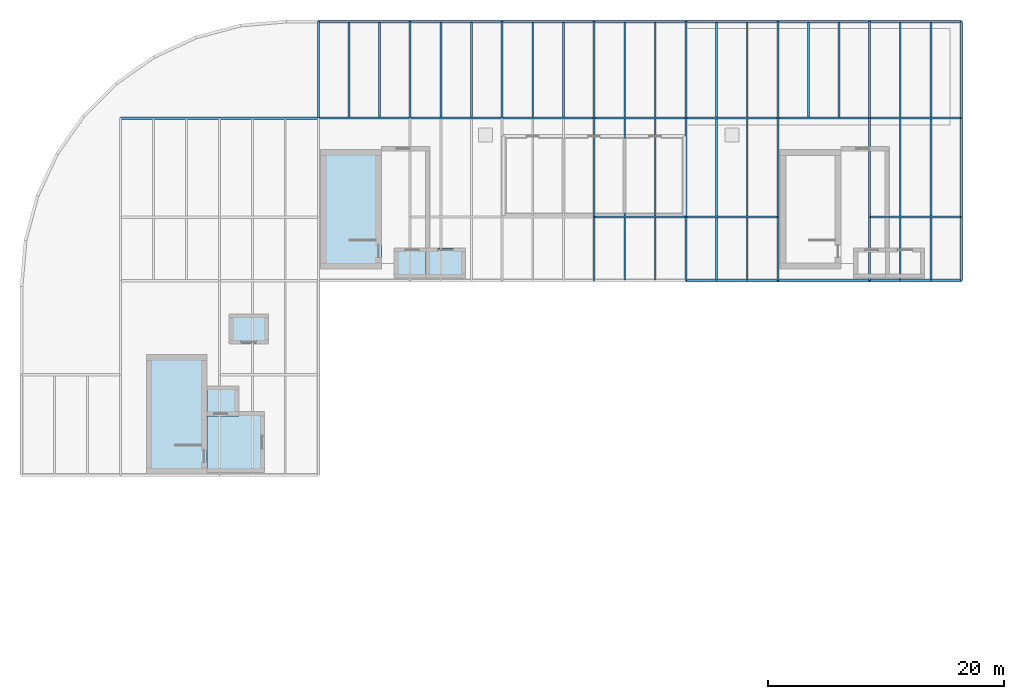
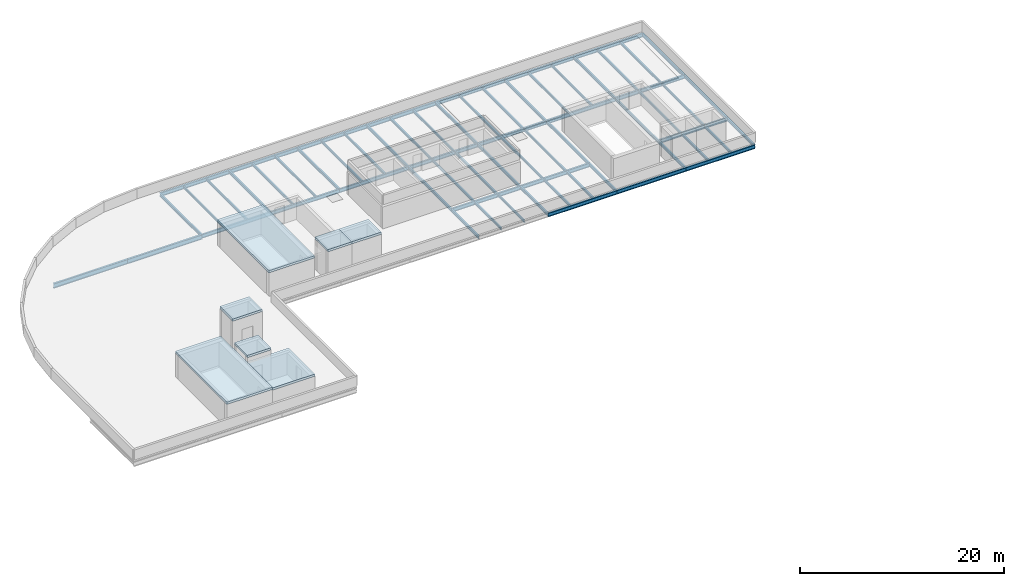
# One storey, part 2 of 9: 66 beams, 7 slabs.
"""IFC4 building model written with IfcOpenShell, lengths in metres."""

from ifc_helpers import new_model, si_unit, direction, frame, origin, origin_2d, place, context, subcontext, project, spatial, polyline, i_section, outline, extrude, material, layer, layer_set, material_profile, profile_set, type_object, element, save


model = new_model("IFC4")

# Units and contexts
model_context = context("Model", 3, precision=1e-05, world=origin(), true_north=direction((0.0, 1.0)))
body_context = subcontext(model_context, "Body", "Model", "MODEL_VIEW")
ifc_project = project(units=[si_unit("LENGTHUNIT", "METRE"), si_unit("AREAUNIT", "SQUARE_METRE"), si_unit("VOLUMEUNIT", "CUBIC_METRE"), si_unit("PLANEANGLEUNIT", "RADIAN"), si_unit("MASSUNIT", "GRAM", prefix="KILO")], contexts=[model_context])

# Site, building, storey
site_placement = place(None, origin())
site = spatial("IfcSite", under=ifc_project, at=site_placement, CompositionType="ELEMENT")
building_placement = place(site_placement, origin())
building = spatial("IfcBuilding", under=site, at=building_placement, Name="Sefraquen Railside Congress Hotel", CompositionType="ELEMENT")
storey_placement = place(building_placement, frame((0.0, 0.0, 51.60009765625)))
storey = spatial("IfcBuildingStorey", under=building, at=storey_placement, Name="RF", CompositionType="ELEMENT", Elevation=51.60009765625)

# Beams
ifc_material_1 = material(Name="Steel S355JR", Category="steel")
ifc_material_profile_1 = material_profile(ifc_material_1, i_section(OverallWidth=0.169921875, OverallDepth=0.360107421875, WebThickness=0.008056640625, FlangeThickness=0.0126953125, FilletRadius=0.01806640625, at=origin_2d()), Name="IPE 360")
ifc_profile_set_1 = profile_set([ifc_material_profile_1], Name="Steel S355JR")
beam_type_1 = type_object("IfcBeamType", Name="TB-BM-360", PredefinedType="BEAM", material=ifc_profile_set_1)
for number, where, z_axis, x_axis, name in (
    (1, (25.199951171875, 109.800048828125, -0.440185546875), (0.0, 1.0, 0.0), (-1.0, 0.0, 0.0), "Floor beam BM-RF-2285"),
    (2, (33.0, 109.800048828125, -0.440185546875), (0.0, 1.0, 0.0), (-1.0, 0.0, 0.0), "Floor beam BM-RF-2288"),
    (3, (40.800048828125, 109.800048828125, -0.440185546875), (0.0, 1.0, 0.0), (-1.0, 0.0, 0.0), "Floor beam BM-RF-2291"),
):
    element("IfcBeam", number, at=place(storey_placement, frame(where, z_axis=z_axis, x_axis=x_axis)), inside=storey, type_object=beam_type_1, Name=name, PredefinedType="BEAM", context=body_context, shape_type="SweptSolid", body=[
        extrude(i_section(OverallWidth=0.169921875, OverallDepth=0.360107421875, WebThickness=0.008056640625, FlangeThickness=0.0126953125, FilletRadius=0.01806640625, at=origin_2d()), origin(), (0.0, 0.0, 1.0), 8.199951171875),
    ])
beam_1_placement = place(storey_placement, frame((48.60009765625, 96.0, -0.440185546875), z_axis=(0.0, 1.0, 0.0), x_axis=(-1.0, 0.0, 0.0)))
element("IfcBeam", 4, at=beam_1_placement, inside=storey, type_object=beam_type_1, Name="Floor beam BM-RF-2292", PredefinedType="BEAM", context=body_context, shape_type="SweptSolid", body=[
    extrude(i_section(OverallWidth=0.169921875, OverallDepth=0.360107421875, WebThickness=0.008056640625, FlangeThickness=0.0126953125, FilletRadius=0.01806640625, at=origin_2d()), origin(), (0.0, 0.0, 1.0), 5.39990234375),
])
beam_2_placement = place(storey_placement, frame((48.60009765625, 101.39990234375, -0.440185546875), z_axis=(0.0, 1.0, 0.0), x_axis=(-1.0, 0.0, 0.0)))
element("IfcBeam", 5, at=beam_2_placement, inside=storey, type_object=beam_type_1, Name="Floor beam BM-RF-2293", PredefinedType="BEAM", context=body_context, shape_type="SweptSolid", body=[
    extrude(i_section(OverallWidth=0.169921875, OverallDepth=0.360107421875, WebThickness=0.008056640625, FlangeThickness=0.0126953125, FilletRadius=0.01806640625, at=origin_2d()), origin(), (0.0, 0.0, 1.0), 8.400146484375),
])
beam_3_placement = place(storey_placement, frame((48.60009765625, 109.800048828125, -0.440185546875), z_axis=(0.0, 1.0, 0.0), x_axis=(-1.0, 0.0, 0.0)))
element("IfcBeam", 6, at=beam_3_placement, inside=storey, type_object=beam_type_1, Name="Floor beam BM-RF-2294", PredefinedType="BEAM", context=body_context, shape_type="SweptSolid", body=[
    extrude(i_section(OverallWidth=0.169921875, OverallDepth=0.360107421875, WebThickness=0.008056640625, FlangeThickness=0.0126953125, FilletRadius=0.01806640625, at=origin_2d()), origin(), (0.0, 0.0, 1.0), 8.199951171875),
])
beam_4_placement = place(storey_placement, frame((56.39990234375, 96.0, -0.440185546875), z_axis=(0.0, 1.0, 0.0), x_axis=(-1.0, 0.0, 0.0)))
element("IfcBeam", 7, at=beam_4_placement, inside=storey, type_object=beam_type_1, Name="Floor beam BM-RF-2295", PredefinedType="BEAM", context=body_context, shape_type="SweptSolid", body=[
    extrude(i_section(OverallWidth=0.169921875, OverallDepth=0.360107421875, WebThickness=0.008056640625, FlangeThickness=0.0126953125, FilletRadius=0.01806640625, at=origin_2d()), origin(), (0.0, 0.0, 1.0), 5.39990234375),
])
beam_5_placement = place(storey_placement, frame((56.39990234375, 101.39990234375, -0.440185546875), z_axis=(0.0, 1.0, 0.0), x_axis=(-1.0, 0.0, 0.0)))
element("IfcBeam", 8, at=beam_5_placement, inside=storey, type_object=beam_type_1, Name="Floor beam BM-RF-2296", PredefinedType="BEAM", context=body_context, shape_type="SweptSolid", body=[
    extrude(i_section(OverallWidth=0.169921875, OverallDepth=0.360107421875, WebThickness=0.008056640625, FlangeThickness=0.0126953125, FilletRadius=0.01806640625, at=origin_2d()), origin(), (0.0, 0.0, 1.0), 8.400146484375),
])
beam_6_placement = place(storey_placement, frame((56.39990234375, 109.800048828125, -0.440185546875), z_axis=(0.0, 1.0, 0.0), x_axis=(-1.0, 0.0, 0.0)))
element("IfcBeam", 9, at=beam_6_placement, inside=storey, type_object=beam_type_1, Name="Floor beam BM-RF-2297", PredefinedType="BEAM", context=body_context, shape_type="SweptSolid", body=[
    extrude(i_section(OverallWidth=0.169921875, OverallDepth=0.360107421875, WebThickness=0.008056640625, FlangeThickness=0.0126953125, FilletRadius=0.01806640625, at=origin_2d()), origin(), (0.0, 0.0, 1.0), 8.199951171875),
])
beam_7_placement = place(storey_placement, frame((64.199951171875, 96.0, -0.440185546875), z_axis=(0.0, 1.0, 0.0), x_axis=(-1.0, 0.0, 0.0)))
element("IfcBeam", 10, at=beam_7_placement, inside=storey, type_object=beam_type_1, Name="Floor beam BM-RF-2298", PredefinedType="BEAM", context=body_context, shape_type="SweptSolid", body=[
    extrude(i_section(OverallWidth=0.169921875, OverallDepth=0.360107421875, WebThickness=0.008056640625, FlangeThickness=0.0126953125, FilletRadius=0.01806640625, at=origin_2d()), origin(), (0.0, 0.0, 1.0), 5.39990234375),
])
beam_8_placement = place(storey_placement, frame((64.199951171875, 101.39990234375, -0.440185546875), z_axis=(0.0, 1.0, 0.0), x_axis=(-1.0, 0.0, 0.0)))
element("IfcBeam", 11, at=beam_8_placement, inside=storey, type_object=beam_type_1, Name="Floor beam BM-RF-2299", PredefinedType="BEAM", context=body_context, shape_type="SweptSolid", body=[
    extrude(i_section(OverallWidth=0.169921875, OverallDepth=0.360107421875, WebThickness=0.008056640625, FlangeThickness=0.0126953125, FilletRadius=0.01806640625, at=origin_2d()), origin(), (0.0, 0.0, 1.0), 8.400146484375),
])
beam_9_placement = place(storey_placement, frame((64.199951171875, 109.800048828125, -0.440185546875), z_axis=(0.0, 1.0, 0.0), x_axis=(-1.0, 0.0, 0.0)))
element("IfcBeam", 12, at=beam_9_placement, inside=storey, type_object=beam_type_1, Name="Floor beam BM-RF-2300", PredefinedType="BEAM", context=body_context, shape_type="SweptSolid", body=[
    extrude(i_section(OverallWidth=0.169921875, OverallDepth=0.360107421875, WebThickness=0.008056640625, FlangeThickness=0.0126953125, FilletRadius=0.01806640625, at=origin_2d()), origin(), (0.0, 0.0, 1.0), 8.199951171875),
])
beam_10_placement = place(storey_placement, frame((72.0, 96.0, -0.440185546875), z_axis=(0.0, 1.0, 0.0), x_axis=(-1.0, 0.0, 0.0)))
element("IfcBeam", 13, at=beam_10_placement, inside=storey, type_object=beam_type_1, Name="Floor beam BM-RF-2301", PredefinedType="BEAM", context=body_context, shape_type="SweptSolid", body=[
    extrude(i_section(OverallWidth=0.169921875, OverallDepth=0.360107421875, WebThickness=0.008056640625, FlangeThickness=0.0126953125, FilletRadius=0.01806640625, at=origin_2d()), origin(), (0.0, 0.0, 1.0), 5.39990234375),
])
beam_11_placement = place(storey_placement, frame((72.0, 101.39990234375, -0.440185546875), z_axis=(0.0, 1.0, 0.0), x_axis=(-1.0, 0.0, 0.0)))
element("IfcBeam", 14, at=beam_11_placement, inside=storey, type_object=beam_type_1, Name="Floor beam BM-RF-2302", PredefinedType="BEAM", context=body_context, shape_type="SweptSolid", body=[
    extrude(i_section(OverallWidth=0.169921875, OverallDepth=0.360107421875, WebThickness=0.008056640625, FlangeThickness=0.0126953125, FilletRadius=0.01806640625, at=origin_2d()), origin(), (0.0, 0.0, 1.0), 8.400146484375),
])
beam_12_placement = place(storey_placement, frame((72.0, 109.800048828125, -0.440185546875), z_axis=(0.0, 1.0, 0.0), x_axis=(-1.0, 0.0, 0.0)))
element("IfcBeam", 15, at=beam_12_placement, inside=storey, type_object=beam_type_1, Name="Floor beam BM-RF-2303", PredefinedType="BEAM", context=body_context, shape_type="SweptSolid", body=[
    extrude(i_section(OverallWidth=0.169921875, OverallDepth=0.360107421875, WebThickness=0.008056640625, FlangeThickness=0.0126953125, FilletRadius=0.01806640625, at=origin_2d()), origin(), (0.0, 0.0, 1.0), 8.199951171875),
])
beam_13_placement = place(storey_placement, frame((79.800048828125, 96.0, -0.440185546875), z_axis=(0.0, 1.0, 0.0), x_axis=(-1.0, 0.0, 0.0)))
element("IfcBeam", 16, at=beam_13_placement, inside=storey, type_object=beam_type_1, Name="Floor beam BM-RF-2304", PredefinedType="BEAM", context=body_context, shape_type="SweptSolid", body=[
    extrude(i_section(OverallWidth=0.169921875, OverallDepth=0.360107421875, WebThickness=0.008056640625, FlangeThickness=0.0126953125, FilletRadius=0.01806640625, at=origin_2d()), origin(), (0.0, 0.0, 1.0), 5.39990234375),
])
beam_14_placement = place(storey_placement, frame((79.800048828125, 101.39990234375, -0.440185546875), z_axis=(0.0, 1.0, 0.0), x_axis=(-1.0, 0.0, 0.0)))
element("IfcBeam", 17, at=beam_14_placement, inside=storey, type_object=beam_type_1, Name="Floor beam BM-RF-2305", PredefinedType="BEAM", context=body_context, shape_type="SweptSolid", body=[
    extrude(i_section(OverallWidth=0.169921875, OverallDepth=0.360107421875, WebThickness=0.008056640625, FlangeThickness=0.0126953125, FilletRadius=0.01806640625, at=origin_2d()), origin(), (0.0, 0.0, 1.0), 8.400146484375),
])
beam_15_placement = place(storey_placement, frame((79.800048828125, 109.800048828125, -0.440185546875), z_axis=(0.0, 1.0, 0.0), x_axis=(-1.0, 0.0, 0.0)))
element("IfcBeam", 18, at=beam_15_placement, inside=storey, type_object=beam_type_1, Name="Floor beam BM-RF-2306", PredefinedType="BEAM", context=body_context, shape_type="SweptSolid", body=[
    extrude(i_section(OverallWidth=0.169921875, OverallDepth=0.360107421875, WebThickness=0.008056640625, FlangeThickness=0.0126953125, FilletRadius=0.01806640625, at=origin_2d()), origin(), (0.0, 0.0, 1.0), 8.199951171875),
])
ifc_material_profile_2 = material_profile(ifc_material_1, i_section(OverallWidth=0.18994140625, OverallDepth=0.449951171875, WebThickness=0.009521484375, FlangeThickness=0.0146484375, FilletRadius=0.02099609375, at=origin_2d()), Name="IPE 450")
ifc_profile_set_2 = profile_set([ifc_material_profile_2], Name="Steel S355JR")
beam_type_2 = type_object("IfcBeamType", Name="TB-BM-450", PredefinedType="BEAM", material=ifc_profile_set_2)
for number, where, z_axis, x_axis, name in (
    (19, (56.39990234375, 96.0, -0.485107421875), (1.0, 0.0, 0.0), (0.0, 1.0, 0.0), "Primary girder BM-RF-2246"),
    (20, (64.199951171875, 96.0, -0.485107421875), (1.0, 0.0, 0.0), (0.0, 1.0, 0.0), "Primary girder BM-RF-2247"),
    (21, (72.0, 96.0, -0.485107421875), (1.0, 0.0, 0.0), (0.0, 1.0, 0.0), "Primary girder BM-RF-2248"),
):
    element("IfcBeam", number, at=place(storey_placement, frame(where, z_axis=z_axis, x_axis=x_axis)), inside=storey, type_object=beam_type_2, Name=name, PredefinedType="BEAM", context=body_context, shape_type="SweptSolid", body=[
        extrude(i_section(OverallWidth=0.18994140625, OverallDepth=0.449951171875, WebThickness=0.009521484375, FlangeThickness=0.0146484375, FilletRadius=0.02099609375, at=origin_2d()), origin(), (0.0, 0.0, 1.0), 7.800048828125),
    ])
beam_16_placement = place(storey_placement, frame((48.60009765625, 101.39990234375, -0.485107421875), z_axis=(1.0, 0.0, 0.0), x_axis=(0.0, 1.0, 0.0)))
element("IfcBeam", 22, at=beam_16_placement, inside=storey, type_object=beam_type_2, Name="Primary girder BM-RF-2253", PredefinedType="BEAM", context=body_context, shape_type="SweptSolid", body=[
    extrude(i_section(OverallWidth=0.18994140625, OverallDepth=0.449951171875, WebThickness=0.009521484375, FlangeThickness=0.0146484375, FilletRadius=0.02099609375, at=origin_2d()), origin(), (0.0, 0.0, 1.0), 7.7998046875),
])
for number, where, z_axis, x_axis, name in (
    (23, (56.39990234375, 101.39990234375, -0.485107421875), (1.0, 0.0, 0.0), (0.0, 1.0, 0.0), "Primary girder BM-RF-2254"),
    (24, (72.0, 101.39990234375, -0.485107421875), (1.0, 0.0, 0.0), (0.0, 1.0, 0.0), "Primary girder BM-RF-2255"),
    (25, (25.199951171875, 109.800048828125, -0.485107421875), (1.0, 0.0, 0.0), (0.0, 1.0, 0.0), "Primary girder BM-RF-2258"),
    (26, (33.0, 109.800048828125, -0.485107421875), (1.0, 0.0, 0.0), (0.0, 1.0, 0.0), "Primary girder BM-RF-2259"),
    (27, (40.800048828125, 109.800048828125, -0.485107421875), (1.0, 0.0, 0.0), (0.0, 1.0, 0.0), "Primary girder BM-RF-2260"),
):
    element("IfcBeam", number, at=place(storey_placement, frame(where, z_axis=z_axis, x_axis=x_axis)), inside=storey, type_object=beam_type_2, Name=name, PredefinedType="BEAM", context=body_context, shape_type="SweptSolid", body=[
        extrude(i_section(OverallWidth=0.18994140625, OverallDepth=0.449951171875, WebThickness=0.009521484375, FlangeThickness=0.0146484375, FilletRadius=0.02099609375, at=origin_2d()), origin(), (0.0, 0.0, 1.0), 7.800048828125),
    ])
beam_17_placement = place(storey_placement, frame((48.60009765625, 109.800048828125, -0.485107421875), z_axis=(1.0, 0.0, 0.0), x_axis=(0.0, 1.0, 0.0)))
element("IfcBeam", 28, at=beam_17_placement, inside=storey, type_object=beam_type_2, Name="Primary girder BM-RF-2261", PredefinedType="BEAM", context=body_context, shape_type="SweptSolid", body=[
    extrude(i_section(OverallWidth=0.18994140625, OverallDepth=0.449951171875, WebThickness=0.009521484375, FlangeThickness=0.0146484375, FilletRadius=0.02099609375, at=origin_2d()), origin(), (0.0, 0.0, 1.0), 7.7998046875),
])
for number, where, z_axis, x_axis, name in (
    (29, (56.39990234375, 109.800048828125, -0.485107421875), (1.0, 0.0, 0.0), (0.0, 1.0, 0.0), "Primary girder BM-RF-2262"),
    (30, (64.199951171875, 109.800048828125, -0.485107421875), (1.0, 0.0, 0.0), (0.0, 1.0, 0.0), "Primary girder BM-RF-2263"),
    (31, (72.0, 109.800048828125, -0.485107421875), (1.0, 0.0, 0.0), (0.0, 1.0, 0.0), "Primary girder BM-RF-2264"),
    (32, (25.199951171875, 118.0, -0.485107421875), (1.0, 0.0, 0.0), (0.0, 1.0, 0.0), "Primary girder BM-RF-2265"),
    (33, (33.0, 118.0, -0.485107421875), (1.0, 0.0, 0.0), (0.0, 1.0, 0.0), "Primary girder BM-RF-2266"),
    (34, (40.800048828125, 118.0, -0.485107421875), (1.0, 0.0, 0.0), (0.0, 1.0, 0.0), "Primary girder BM-RF-2267"),
):
    element("IfcBeam", number, at=place(storey_placement, frame(where, z_axis=z_axis, x_axis=x_axis)), inside=storey, type_object=beam_type_2, Name=name, PredefinedType="BEAM", context=body_context, shape_type="SweptSolid", body=[
        extrude(i_section(OverallWidth=0.18994140625, OverallDepth=0.449951171875, WebThickness=0.009521484375, FlangeThickness=0.0146484375, FilletRadius=0.02099609375, at=origin_2d()), origin(), (0.0, 0.0, 1.0), 7.800048828125),
    ])
beam_18_placement = place(storey_placement, frame((48.60009765625, 118.0, -0.485107421875), z_axis=(1.0, 0.0, 0.0), x_axis=(0.0, 1.0, 0.0)))
element("IfcBeam", 35, at=beam_18_placement, inside=storey, type_object=beam_type_2, Name="Primary girder BM-RF-2268", PredefinedType="BEAM", context=body_context, shape_type="SweptSolid", body=[
    extrude(i_section(OverallWidth=0.18994140625, OverallDepth=0.449951171875, WebThickness=0.009521484375, FlangeThickness=0.0146484375, FilletRadius=0.02099609375, at=origin_2d()), origin(), (0.0, 0.0, 1.0), 7.7998046875),
])
for number, where, z_axis, x_axis, name in (
    (36, (56.39990234375, 118.0, -0.485107421875), (1.0, 0.0, 0.0), (0.0, 1.0, 0.0), "Primary girder BM-RF-2269"),
    (37, (64.199951171875, 118.0, -0.485107421875), (1.0, 0.0, 0.0), (0.0, 1.0, 0.0), "Primary girder BM-RF-2270"),
    (38, (72.0, 118.0, -0.485107421875), (1.0, 0.0, 0.0), (0.0, 1.0, 0.0), "Primary girder BM-RF-2271"),
):
    element("IfcBeam", number, at=place(storey_placement, frame(where, z_axis=z_axis, x_axis=x_axis)), inside=storey, type_object=beam_type_2, Name=name, PredefinedType="BEAM", context=body_context, shape_type="SweptSolid", body=[
        extrude(i_section(OverallWidth=0.18994140625, OverallDepth=0.449951171875, WebThickness=0.009521484375, FlangeThickness=0.0146484375, FilletRadius=0.02099609375, at=origin_2d()), origin(), (0.0, 0.0, 1.0), 7.800048828125),
    ])
ifc_material_profile_3 = material_profile(ifc_material_1, i_section(OverallWidth=0.2099609375, OverallDepth=0.550048828125, WebThickness=0.010986328125, FlangeThickness=0.01708984375, FilletRadius=0.02392578125, at=origin_2d()), Name="IPE 550")
ifc_profile_set_3 = profile_set([ifc_material_profile_3], Name="Steel S355JR")
beam_type_3 = type_object("IfcBeamType", Name="TB-GIR-550", PredefinedType="T_BEAM", material=ifc_profile_set_3)
beam_19_placement = place(storey_placement, frame((8.39990234375, 109.800048828125, -0.53515625), z_axis=(1.0, 0.0, 0.0), x_axis=(0.0, 1.0, 0.0)))
element("IfcBeam", 39, at=beam_19_placement, inside=storey, type_object=beam_type_3, Name="Primary girder BM-RF-2256", PredefinedType="T_BEAM", context=body_context, shape_type="SweptSolid", body=[
    extrude(i_section(OverallWidth=0.2099609375, OverallDepth=0.550048828125, WebThickness=0.010986328125, FlangeThickness=0.01708984375, FilletRadius=0.02392578125, at=origin_2d()), origin(), (0.0, 0.0, 1.0), 8.400146484375),
])
beam_20_placement = place(storey_placement, frame((16.800048828125, 109.800048828125, -0.53515625), z_axis=(1.0, 0.0, 0.0), x_axis=(0.0, 1.0, 0.0)))
element("IfcBeam", 40, at=beam_20_placement, inside=storey, type_object=beam_type_3, Name="Primary girder BM-RF-2257", PredefinedType="T_BEAM", context=body_context, shape_type="SweptSolid", body=[
    extrude(i_section(OverallWidth=0.2099609375, OverallDepth=0.550048828125, WebThickness=0.010986328125, FlangeThickness=0.01708984375, FilletRadius=0.02392578125, at=origin_2d()), origin(), (0.0, 0.0, 1.0), 8.39990234375),
])
ifc_material_profile_4 = material_profile(ifc_material_1, i_section(OverallWidth=0.14990234375, OverallDepth=0.300048828125, WebThickness=0.007080078125, FlangeThickness=0.0107421875, FilletRadius=0.014892578125, at=origin_2d()), Name="IPE 300")
ifc_profile_set_4 = profile_set([ifc_material_profile_4], Name="Steel S355JR")
beam_type_4 = type_object("IfcBeamType", Name="TB-JST-300", PredefinedType="JOIST", material=ifc_profile_set_4)
for number, where, z_axis, x_axis, name in (
    (41, (27.800048828125, 109.875, -0.41015625), (0.0, 1.0, 0.0), (-1.0, 0.0, 0.0), "Composite floor joist BM-RF-J1542"),
    (42, (30.39990234375, 109.875, -0.41015625), (0.0, 1.0, 0.0), (-1.0, 0.0, 0.0), "Composite floor joist BM-RF-J1543"),
    (43, (35.60009765625, 109.875, -0.41015625), (0.0, 1.0, 0.0), (-1.0, 0.0, 0.0), "Composite floor joist BM-RF-J1548"),
    (44, (38.199951171875, 109.875, -0.41015625), (0.0, 1.0, 0.0), (-1.0, 0.0, 0.0), "Composite floor joist BM-RF-J1549"),
    (45, (43.39990234375, 109.875, -0.41015625), (0.0, 1.0, 0.0), (-1.0, 0.0, 0.0), "Composite floor joist BM-RF-J1554"),
    (46, (46.0, 109.875, -0.41015625), (0.0, 1.0, 0.0), (-1.0, 0.0, 0.0), "Composite floor joist BM-RF-J1555"),
):
    element("IfcBeam", number, at=place(storey_placement, frame(where, z_axis=z_axis, x_axis=x_axis)), inside=storey, type_object=beam_type_4, Name=name, PredefinedType="JOIST", context=body_context, shape_type="SweptSolid", body=[
        extrude(i_section(OverallWidth=0.14990234375, OverallDepth=0.300048828125, WebThickness=0.007080078125, FlangeThickness=0.0107421875, FilletRadius=0.014892578125, at=origin_2d()), origin(), (0.0, 0.0, 1.0), 8.050048828125),
    ])
for number, where, z_axis, x_axis, name in (
    (47, (51.199951171875, 96.074951171875, -0.41015625), (0.0, 1.0, 0.0), (-1.0, 0.0, 0.0), "Composite floor joist BM-RF-J1556"),
    (48, (53.800048828125, 96.074951171875, -0.41015625), (0.0, 1.0, 0.0), (-1.0, 0.0, 0.0), "Composite floor joist BM-RF-J1557"),
):
    element("IfcBeam", number, at=place(storey_placement, frame(where, z_axis=z_axis, x_axis=x_axis)), inside=storey, type_object=beam_type_4, Name=name, PredefinedType="JOIST", context=body_context, shape_type="SweptSolid", body=[
        extrude(i_section(OverallWidth=0.14990234375, OverallDepth=0.300048828125, WebThickness=0.007080078125, FlangeThickness=0.0107421875, FilletRadius=0.014892578125, at=origin_2d()), origin(), (0.0, 0.0, 1.0), 5.25),
    ])
for number, where, z_axis, x_axis, name in (
    (49, (51.199951171875, 101.47509765625, -0.41015625), (0.0, 1.0, 0.0), (-1.0, 0.0, 0.0), "Composite floor joist BM-RF-J1558"),
    (50, (53.800048828125, 101.47509765625, -0.41015625), (0.0, 1.0, 0.0), (-1.0, 0.0, 0.0), "Composite floor joist BM-RF-J1559"),
):
    element("IfcBeam", number, at=place(storey_placement, frame(where, z_axis=z_axis, x_axis=x_axis)), inside=storey, type_object=beam_type_4, Name=name, PredefinedType="JOIST", context=body_context, shape_type="SweptSolid", body=[
        extrude(i_section(OverallWidth=0.14990234375, OverallDepth=0.300048828125, WebThickness=0.007080078125, FlangeThickness=0.0107421875, FilletRadius=0.014892578125, at=origin_2d()), origin(), (0.0, 0.0, 1.0), 8.25),
    ])
for number, where, z_axis, x_axis, name in (
    (51, (51.199951171875, 109.875, -0.41015625), (0.0, 1.0, 0.0), (-1.0, 0.0, 0.0), "Composite floor joist BM-RF-J1560"),
    (52, (53.800048828125, 109.875, -0.41015625), (0.0, 1.0, 0.0), (-1.0, 0.0, 0.0), "Composite floor joist BM-RF-J1561"),
):
    element("IfcBeam", number, at=place(storey_placement, frame(where, z_axis=z_axis, x_axis=x_axis)), inside=storey, type_object=beam_type_4, Name=name, PredefinedType="JOIST", context=body_context, shape_type="SweptSolid", body=[
        extrude(i_section(OverallWidth=0.14990234375, OverallDepth=0.300048828125, WebThickness=0.007080078125, FlangeThickness=0.0107421875, FilletRadius=0.014892578125, at=origin_2d()), origin(), (0.0, 0.0, 1.0), 8.050048828125),
    ])
for number, where, z_axis, x_axis, name in (
    (53, (59.0, 96.074951171875, -0.41015625), (0.0, 1.0, 0.0), (-1.0, 0.0, 0.0), "Composite floor joist BM-RF-J1562"),
    (54, (61.60009765625, 96.074951171875, -0.41015625), (0.0, 1.0, 0.0), (-1.0, 0.0, 0.0), "Composite floor joist BM-RF-J1563"),
):
    element("IfcBeam", number, at=place(storey_placement, frame(where, z_axis=z_axis, x_axis=x_axis)), inside=storey, type_object=beam_type_4, Name=name, PredefinedType="JOIST", context=body_context, shape_type="SweptSolid", body=[
        extrude(i_section(OverallWidth=0.14990234375, OverallDepth=0.300048828125, WebThickness=0.007080078125, FlangeThickness=0.0107421875, FilletRadius=0.014892578125, at=origin_2d()), origin(), (0.0, 0.0, 1.0), 5.25),
    ])
for number, where, z_axis, x_axis, name in (
    (55, (59.0, 101.47509765625, -0.41015625), (0.0, 1.0, 0.0), (-1.0, 0.0, 0.0), "Composite floor joist BM-RF-J1564"),
    (56, (61.60009765625, 101.47509765625, -0.41015625), (0.0, 1.0, 0.0), (-1.0, 0.0, 0.0), "Composite floor joist BM-RF-J1565"),
):
    element("IfcBeam", number, at=place(storey_placement, frame(where, z_axis=z_axis, x_axis=x_axis)), inside=storey, type_object=beam_type_4, Name=name, PredefinedType="JOIST", context=body_context, shape_type="SweptSolid", body=[
        extrude(i_section(OverallWidth=0.14990234375, OverallDepth=0.300048828125, WebThickness=0.007080078125, FlangeThickness=0.0107421875, FilletRadius=0.014892578125, at=origin_2d()), origin(), (0.0, 0.0, 1.0), 8.25),
    ])
for number, where, z_axis, x_axis, name in (
    (57, (59.0, 109.875, -0.41015625), (0.0, 1.0, 0.0), (-1.0, 0.0, 0.0), "Composite floor joist BM-RF-J1566"),
    (58, (61.60009765625, 109.875, -0.41015625), (0.0, 1.0, 0.0), (-1.0, 0.0, 0.0), "Composite floor joist BM-RF-J1567"),
    (59, (66.800048828125, 109.875, -0.41015625), (0.0, 1.0, 0.0), (-1.0, 0.0, 0.0), "Composite floor joist BM-RF-J1568"),
    (60, (69.39990234375, 109.875, -0.41015625), (0.0, 1.0, 0.0), (-1.0, 0.0, 0.0), "Composite floor joist BM-RF-J1569"),
):
    element("IfcBeam", number, at=place(storey_placement, frame(where, z_axis=z_axis, x_axis=x_axis)), inside=storey, type_object=beam_type_4, Name=name, PredefinedType="JOIST", context=body_context, shape_type="SweptSolid", body=[
        extrude(i_section(OverallWidth=0.14990234375, OverallDepth=0.300048828125, WebThickness=0.007080078125, FlangeThickness=0.0107421875, FilletRadius=0.014892578125, at=origin_2d()), origin(), (0.0, 0.0, 1.0), 8.050048828125),
    ])
for number, where, z_axis, x_axis, name in (
    (61, (74.60009765625, 96.074951171875, -0.41015625), (0.0, 1.0, 0.0), (-1.0, 0.0, 0.0), "Composite floor joist BM-RF-J1570"),
    (62, (77.199951171875, 96.074951171875, -0.41015625), (0.0, 1.0, 0.0), (-1.0, 0.0, 0.0), "Composite floor joist BM-RF-J1571"),
):
    element("IfcBeam", number, at=place(storey_placement, frame(where, z_axis=z_axis, x_axis=x_axis)), inside=storey, type_object=beam_type_4, Name=name, PredefinedType="JOIST", context=body_context, shape_type="SweptSolid", body=[
        extrude(i_section(OverallWidth=0.14990234375, OverallDepth=0.300048828125, WebThickness=0.007080078125, FlangeThickness=0.0107421875, FilletRadius=0.014892578125, at=origin_2d()), origin(), (0.0, 0.0, 1.0), 5.25),
    ])
for number, where, z_axis, x_axis, name in (
    (63, (74.60009765625, 101.47509765625, -0.41015625), (0.0, 1.0, 0.0), (-1.0, 0.0, 0.0), "Composite floor joist BM-RF-J1572"),
    (64, (77.199951171875, 101.47509765625, -0.41015625), (0.0, 1.0, 0.0), (-1.0, 0.0, 0.0), "Composite floor joist BM-RF-J1573"),
):
    element("IfcBeam", number, at=place(storey_placement, frame(where, z_axis=z_axis, x_axis=x_axis)), inside=storey, type_object=beam_type_4, Name=name, PredefinedType="JOIST", context=body_context, shape_type="SweptSolid", body=[
        extrude(i_section(OverallWidth=0.14990234375, OverallDepth=0.300048828125, WebThickness=0.007080078125, FlangeThickness=0.0107421875, FilletRadius=0.014892578125, at=origin_2d()), origin(), (0.0, 0.0, 1.0), 8.25),
    ])
for number, where, z_axis, x_axis, name in (
    (65, (74.60009765625, 109.875, -0.41015625), (0.0, 1.0, 0.0), (-1.0, 0.0, 0.0), "Composite floor joist BM-RF-J1574"),
    (66, (77.199951171875, 109.875, -0.41015625), (0.0, 1.0, 0.0), (-1.0, 0.0, 0.0), "Composite floor joist BM-RF-J1575"),
):
    element("IfcBeam", number, at=place(storey_placement, frame(where, z_axis=z_axis, x_axis=x_axis)), inside=storey, type_object=beam_type_4, Name=name, PredefinedType="JOIST", context=body_context, shape_type="SweptSolid", body=[
        extrude(i_section(OverallWidth=0.14990234375, OverallDepth=0.300048828125, WebThickness=0.007080078125, FlangeThickness=0.0107421875, FilletRadius=0.014892578125, at=origin_2d()), origin(), (0.0, 0.0, 1.0), 8.050048828125),
    ])

# Slabs
ifc_material_2 = material(Name="Concrete C40/50", Category="concrete")
ifc_layer = layer(ifc_material_2, 0.260009765625)
ifc_layer_set = layer_set([ifc_layer], Name="Concrete C40/50")
slab_type = type_object("IfcSlabType", Name="TS-HC-260", PredefinedType="USERDEFINED", material=ifc_layer_set)
slab_1_placement = place(storey_placement, frame((0.0, 0.0, 2.7998046875)))
element("IfcSlab", 67, at=slab_1_placement, inside=storey, type_object=slab_type, Name="Stair ST-H01 rooftop penthouse cap slab", ObjectType="HOUSING CAP", PredefinedType="USERDEFINED", context=body_context, shape_type="SweptSolid", body=[
    extrude(outline(polyline([(10.60009765625, 79.60009765625), (15.760009765625, 79.60009765625), (15.760009765625, 89.7119140625), (10.60009765625, 89.7119140625), (10.60009765625, 79.60009765625)])), origin(), (0.0, 0.0, 1.0), 0.260009765625),
])
slab_2_placement = place(storey_placement, frame((0.0, 0.0, 2.7998046875)))
element("IfcSlab", 68, at=slab_2_placement, inside=storey, type_object=slab_type, Name="Stair ST-H02 rooftop penthouse cap slab", ObjectType="HOUSING CAP", PredefinedType="USERDEFINED", context=body_context, shape_type="SweptSolid", body=[
    extrude(outline(polyline([(25.39990234375, 97.0), (30.56005859375, 97.0), (30.56005859375, 107.112060546875), (25.39990234375, 107.112060546875), (25.39990234375, 97.0)])), origin(), (0.0, 0.0, 1.0), 0.260009765625),
])
slab_3_placement = place(storey_placement, frame((0.0, 0.0, 3.599853515625)))
element("IfcSlab", 69, at=slab_3_placement, inside=storey, type_object=slab_type, Name="Lift FL-01 roof overrun cap slab", ObjectType="HOUSING CAP", PredefinedType="USERDEFINED", context=body_context, shape_type="SweptSolid", body=[
    extrude(outline(polyline([(15.760009765625, 84.530029296875), (18.449951171875, 84.530029296875), (18.449951171875, 87.070068359375), (15.760009765625, 87.070068359375), (15.760009765625, 84.530029296875)])), origin(), (0.0, 0.0, 1.0), 0.260009765625),
])
slab_4_placement = place(storey_placement, frame((0.0, 0.0, 3.599853515625)))
element("IfcSlab", 70, at=slab_4_placement, inside=storey, type_object=slab_type, Name="Lift FL-02 roof overrun cap slab", ObjectType="HOUSING CAP", PredefinedType="USERDEFINED", context=body_context, shape_type="SweptSolid", body=[
    extrude(outline(polyline([(31.639892578125, 96.22998046875), (34.330078125, 96.22998046875), (34.330078125, 98.77001953125), (31.639892578125, 98.77001953125), (31.639892578125, 96.22998046875)])), origin(), (0.0, 0.0, 1.0), 0.260009765625),
])
slab_5_placement = place(storey_placement, frame((0.0, 0.0, 3.599853515625)))
element("IfcSlab", 71, at=slab_5_placement, inside=storey, type_object=slab_type, Name="Lift PL-01 roof overrun cap slab", ObjectType="HOUSING CAP", PredefinedType="USERDEFINED", context=body_context, shape_type="SweptSolid", body=[
    extrude(outline(polyline([(17.6298828125, 90.6298828125), (20.969970703125, 90.6298828125), (20.969970703125, 93.169921875), (17.6298828125, 93.169921875), (17.6298828125, 90.6298828125)])), origin(), (0.0, 0.0, 1.0), 0.260009765625),
])
slab_6_placement = place(storey_placement, frame((0.0, 0.0, 3.599853515625)))
element("IfcSlab", 72, at=slab_6_placement, inside=storey, type_object=slab_type, Name="Lift PL-03 roof overrun cap slab", ObjectType="HOUSING CAP", PredefinedType="USERDEFINED", context=body_context, shape_type="SweptSolid", body=[
    extrude(outline(polyline([(34.330078125, 96.22998046875), (37.669921875, 96.22998046875), (37.669921875, 98.77001953125), (34.330078125, 98.77001953125), (34.330078125, 96.22998046875)])), origin(), (0.0, 0.0, 1.0), 0.260009765625),
])
slab_7_placement = place(storey_placement, frame((0.0, 0.0, 2.599853515625)))
element("IfcSlab", 73, at=slab_7_placement, inside=storey, type_object=slab_type, Name="Firefighting Lift Lobby FFL-01 rooftop cap slab", ObjectType="HOUSING CAP", PredefinedType="USERDEFINED", context=body_context, shape_type="SweptSolid", body=[
    extrude(outline(polyline([(15.760009765625, 79.719970703125), (20.6201171875, 79.719970703125), (20.6201171875, 84.8798828125), (15.760009765625, 84.8798828125), (15.760009765625, 79.719970703125)])), origin(), (0.0, 0.0, 1.0), 0.260009765625),
])

save(model, "model.ifc")
